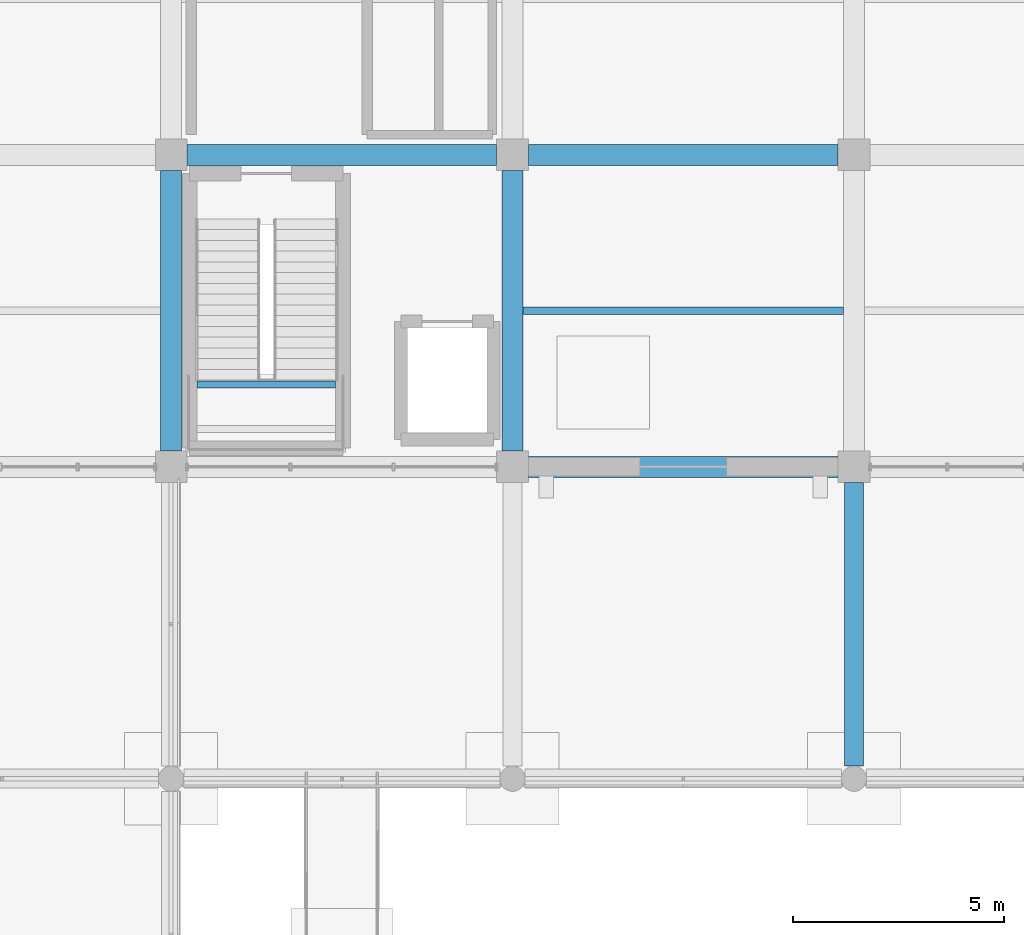
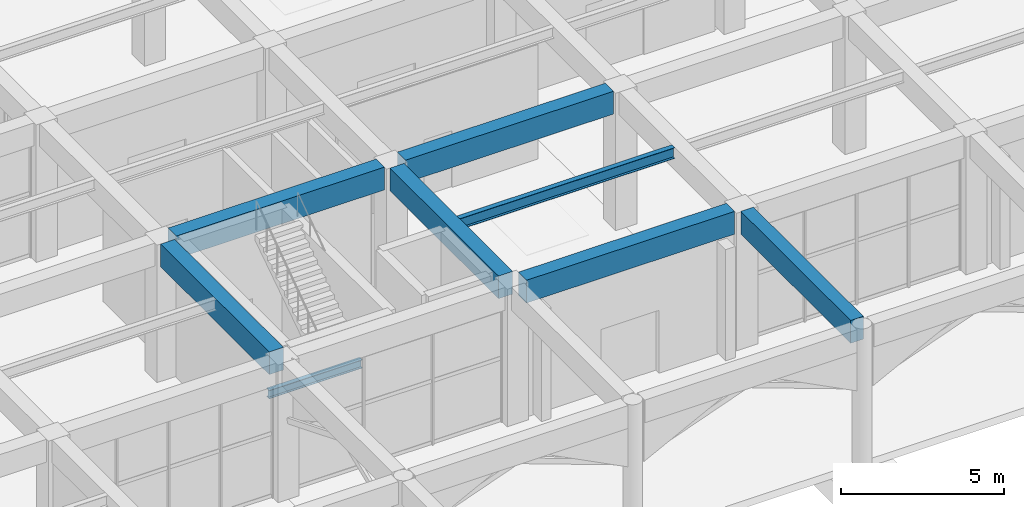
# One storey, part 9 of 140: 8 beams.
"""IFC4 building model written with IfcOpenShell, lengths in metres."""

from ifc_helpers import new_model, si_unit, direction, frame, origin, origin_2d, place, context, subcontext, project, spatial, rectangle, i_section, extrude, material, material_profile, profile_set, type_object, element, save


model = new_model("IFC4")

# Units and contexts
model_context = context("Model", 3, precision=1e-05, world=origin(), true_north=direction((0.0, 1.0)))
body_context = subcontext(model_context, "Body", "Model", "MODEL_VIEW")
ifc_project = project(units=[si_unit("LENGTHUNIT", "METRE"), si_unit("AREAUNIT", "SQUARE_METRE"), si_unit("VOLUMEUNIT", "CUBIC_METRE"), si_unit("PLANEANGLEUNIT", "RADIAN"), si_unit("MASSUNIT", "GRAM", prefix="KILO")], contexts=[model_context])

# Site, building, storey
site_placement = place(None, origin())
site = spatial("IfcSite", under=ifc_project, at=site_placement, CompositionType="ELEMENT")
building_placement = place(site_placement, origin())
building = spatial("IfcBuilding", under=site, at=building_placement, Name="Cimatlan Art Gallery", CompositionType="ELEMENT")
storey_placement = place(building_placement, origin())
storey = spatial("IfcBuildingStorey", under=building, at=storey_placement, Name="L00", CompositionType="ELEMENT", Elevation=0.0)

# Beams
ifc_material_1 = material(Name="Concrete C40/50", Category="concrete")
ifc_material_profile_1 = material_profile(ifc_material_1, rectangle(XDim=0.449951171875, YDim=0.85009765625, at=origin_2d()), Name="RC450X850")
ifc_profile_set_1 = profile_set([ifc_material_profile_1], Name="Concrete C40/50")
beam_type_1 = type_object("IfcBeamType", Name="BM-ARC-450X850", PredefinedType="SPANDREL", material=ifc_profile_set_1)
beam_1_placement = place(storey_placement, frame((50.60009765625, 16.800048828125, 4.735107421875), z_axis=(0.0, 1.0, 0.0), x_axis=(-1.0, 0.0, 0.0)))
element("IfcBeam", 1, at=beam_1_placement, inside=storey, type_object=beam_type_1, Name="BM-ARC-Y-06-02", PredefinedType="SPANDREL", context=body_context, shape_type="SweptSolid", body=[
    extrude(rectangle(XDim=0.449951171875, YDim=0.85009765625, at=origin_2d()), origin(), (0.0, 0.0, 1.0), 6.724853515625),
])
ifc_material_profile_2 = material_profile(ifc_material_1, rectangle(XDim=0.5, YDim=0.85009765625, at=origin_2d()), Name="RC500X850")
ifc_profile_set_2 = profile_set([ifc_material_profile_2], Name="Concrete C40/50")
beam_type_2 = type_object("IfcBeamType", Name="BM-RC-500X850", PredefinedType="BEAM", material=ifc_profile_set_2)
for number, where, z_axis, x_axis, name in (
    (2, (34.39990234375, 24.27490234375, 4.7099609375), (0.0, 1.0, 0.0), (-1.0, 0.0, 0.0), "BM-Y-L00-04-03"),
    (3, (42.5, 24.27490234375, 4.7099609375), (0.0, 1.0, 0.0), (-1.0, 0.0, 0.0), "BM-Y-L00-05-03"),
):
    element("IfcBeam", number, at=place(storey_placement, frame(where, z_axis=z_axis, x_axis=x_axis)), inside=storey, type_object=beam_type_2, Name=name, PredefinedType="BEAM", context=body_context, shape_type="SweptSolid", body=[
        extrude(rectangle(XDim=0.5, YDim=0.85009765625, at=origin_2d()), origin(), (0.0, 0.0, 1.0), 6.650146484375),
    ])
for number, where, z_axis, x_axis, name in (
    (4, (34.77490234375, 31.300048828125, 4.7099609375), (1.0, 0.0, 0.0), (0.0, 1.0, 0.0), "BM-X-L00-04-04"),
    (5, (42.875, 23.89990234375, 4.7099609375), (1.0, 0.0, 0.0), (0.0, 1.0, 0.0), "BM-X-L00-05-03"),
    (6, (42.875, 31.300048828125, 4.7099609375), (1.0, 0.0, 0.0), (0.0, 1.0, 0.0), "BM-X-L00-05-04"),
):
    element("IfcBeam", number, at=place(storey_placement, frame(where, z_axis=z_axis, x_axis=x_axis)), inside=storey, type_object=beam_type_2, Name=name, PredefinedType="BEAM", context=body_context, shape_type="SweptSolid", body=[
        extrude(rectangle(XDim=0.5, YDim=0.85009765625, at=origin_2d()), origin(), (0.0, 0.0, 1.0), 7.35009765625),
    ])
ifc_material_2 = material(Name="Steel ASTM A992 Grade 50", Category="steel")
ifc_material_profile_3 = material_profile(ifc_material_2, i_section(OverallWidth=0.1650390625, OverallDepth=0.31005859375, WebThickness=0.005859375, FlangeThickness=0.009765625, at=origin_2d()), Name="W12X26")
ifc_profile_set_3 = profile_set([ifc_material_profile_3], Name="Steel ASTM A992 Grade 50")
beam_type_3 = type_object("IfcBeamType", Name="BM-STL-W12X26", PredefinedType="JOIST", material=ifc_profile_set_3)
beam_2_placement = place(storey_placement, frame((35.014892578125, 25.85498046875, 2.324951171875), z_axis=(1.0, 0.0, 0.0), x_axis=(0.0, 1.0, 0.0)))
element("IfcBeam", 7, at=beam_2_placement, inside=storey, type_object=beam_type_3, Name="BM-STR-C2-L00-LH2", PredefinedType="JOIST", context=body_context, shape_type="SweptSolid", body=[
    extrude(i_section(OverallWidth=0.1650390625, OverallDepth=0.31005859375, WebThickness=0.005859375, FlangeThickness=0.009765625, at=origin_2d()), origin(), (0.0, 0.0, 1.0), 3.2900390625),
])
ifc_material_profile_4 = material_profile(ifc_material_2, i_section(OverallWidth=0.177978515625, OverallDepth=0.406982421875, WebThickness=0.0078125, FlangeThickness=0.0126953125, at=origin_2d()), Name="W16X40")
ifc_profile_set_4 = profile_set([ifc_material_profile_4], Name="Steel ASTM A992 Grade 50")
beam_type_4 = type_object("IfcBeamType", Name="BM-STL-W16X40", PredefinedType="JOIST", material=ifc_profile_set_4)
beam_3_placement = place(storey_placement, frame((42.75, 27.60009765625, 4.931396484375), z_axis=(1.0, 0.0, 0.0), x_axis=(0.0, 1.0, 0.0)))
element("IfcBeam", 8, at=beam_3_placement, inside=storey, type_object=beam_type_4, Name="JST-L00-05-03", PredefinedType="JOIST", context=body_context, shape_type="SweptSolid", body=[
    extrude(i_section(OverallWidth=0.177978515625, OverallDepth=0.406982421875, WebThickness=0.0078125, FlangeThickness=0.0126953125, at=origin_2d()), origin(), (0.0, 0.0, 1.0), 7.60009765625),
])

save(model, "model.ifc")
